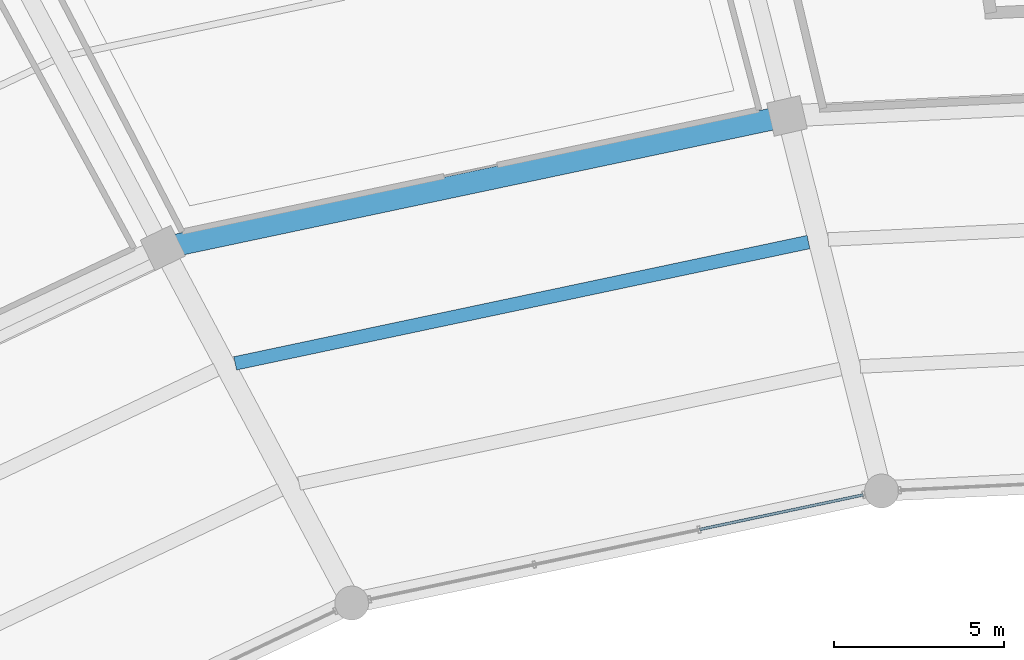
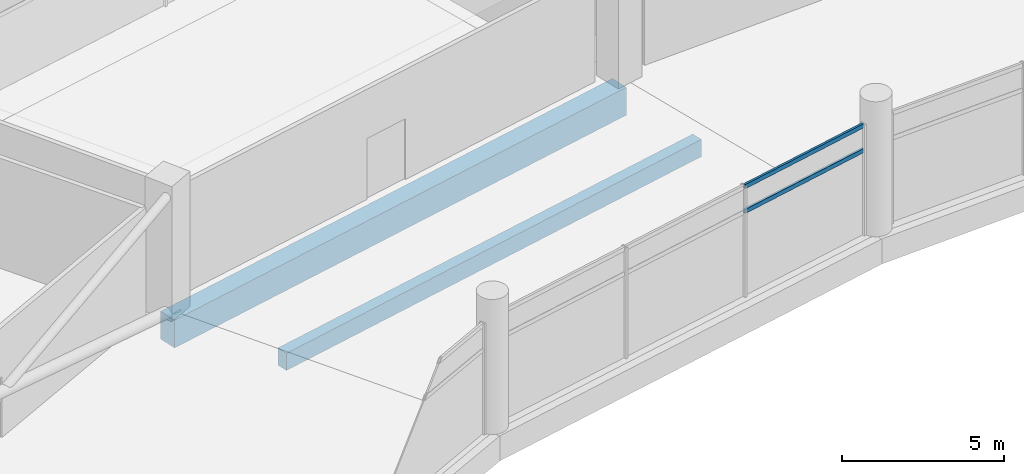
# One storey, part 107 of 184: 2 beams, 2 members, 1 element without a shape of its own.
"""IFC4 building model written with IfcOpenShell, lengths in metres."""

from ifc_helpers import new_model, si_unit, direction, frame, origin, origin_2d, place, context, subcontext, project, spatial, rectangle, hollow_rectangle, extrude, material, layer, layer_set, material_profile, profile_set, type_object, element, aggregate, save


model = new_model("IFC4")

# Units and contexts
model_context = context("Model", 3, precision=1e-05, world=origin(), true_north=direction((0.0, 1.0)))
body_context = subcontext(model_context, "Body", "Model", "MODEL_VIEW")
ifc_project = project(units=[si_unit("LENGTHUNIT", "METRE"), si_unit("AREAUNIT", "SQUARE_METRE"), si_unit("VOLUMEUNIT", "CUBIC_METRE"), si_unit("PLANEANGLEUNIT", "RADIAN"), si_unit("MASSUNIT", "GRAM", prefix="KILO")], contexts=[model_context])

# Site, building, storey
site_placement = place(None, origin())
site = spatial("IfcSite", under=ifc_project, at=site_placement, CompositionType="ELEMENT")
building_placement = place(site_placement, origin())
building = spatial("IfcBuilding", under=site, at=building_placement, Name="Kazemori Nagisa Stadium", CompositionType="ELEMENT")
storey_placement = place(building_placement, frame((0.0, 0.0, 10.5400390625)))
storey = spatial("IfcBuildingStorey", under=building, at=storey_placement, Name="L02", CompositionType="ELEMENT", Elevation=10.5400390625)

# Beams
ifc_material_1 = material(Name="Concrete C40/50 (Fc42)", Category="concrete")
ifc_material_profile_1 = material_profile(ifc_material_1, rectangle(XDim=0.64990234375, YDim=1.050048828125, at=origin_2d()), Name="RC-BM-650x1050")
ifc_profile_set_1 = profile_set([ifc_material_profile_1], Name="Concrete C40/50 (Fc42)")
beam_type_1 = type_object("IfcBeamType", Name="Beam_BG-RC650X1050", PredefinedType="BEAM", material=ifc_profile_set_1)
beam_1_placement = place(storey_placement, frame((104.572265625, 175.088623046875, -0.78515625), z_axis=(-0.978345149833, -0.206980114499, 0.0), x_axis=(0.206980114499, -0.978345149833, 0.0)))
element("IfcBeam", 1, at=beam_1_placement, inside=storey, type_object=beam_type_1, Name="Ring girder BG-RC650X1050 L02 R2-09", PredefinedType="BEAM", context=body_context, shape_type="SweptSolid", body=[
    extrude(rectangle(XDim=0.64990234375, YDim=1.050048828125, at=origin_2d()), origin(), (0.0, 0.0, 1.0), 18.791259765625),
])
ifc_material_profile_2 = material_profile(ifc_material_1, rectangle(XDim=0.39990234375, YDim=0.64990234375, at=origin_2d()), Name="RC-BM-400x650")
ifc_profile_set_2 = profile_set([ifc_material_profile_2], Name="Concrete C40/50 (Fc42)")
beam_type_2 = type_object("IfcBeamType", Name="Beam_BJ-RC400X650", PredefinedType="JOIST", material=ifc_profile_set_2)
beam_2_placement = place(storey_placement, frame((105.205078125, 171.373291015625, -0.5849609375), z_axis=(-0.97834325925, -0.206989050628, 0.0), x_axis=(0.206989050628, -0.97834325925, 0.0)))
element("IfcBeam", 2, at=beam_2_placement, inside=storey, type_object=beam_type_2, Name="Concourse joist BJ-RC400X650 L02 B09-2", PredefinedType="JOIST", context=body_context, shape_type="SweptSolid", body=[
    extrude(rectangle(XDim=0.39990234375, YDim=0.64990234375, at=origin_2d()), origin(), (0.0, 0.0, 1.0), 17.26171875),
])

# Curtain wall, members
ifc_material_2 = material(Name="Anodised aluminium 6063-T5", Category="aluminium")
ifc_layer = layer(ifc_material_2, 0.2099609375, Name="Anodised aluminium 6063-T5", Category="aluminium")
ifc_layer_set = layer_set([ifc_layer], Name="Anodised aluminium 6063-T5")
curtain_wall_type = type_object("IfcCurtainWallType", Name="CW_L02B_75", PredefinedType="USERDEFINED", material=ifc_layer_set)
curtain_wall_placement = place(storey_placement, origin())
curtain_wall = element("IfcCurtainWall", 3, at=curtain_wall_placement, inside=storey, type_object=curtain_wall_type, Name="Unitised curtain wall CW-L02B-75 L02", ObjectType="UNITISED CURTAIN WALL", PredefinedType="USERDEFINED")
ifc_material_3 = material(Name="Aluminium 6063-T5 anodised", Category="aluminium")
ifc_material_profile_3 = material_profile(ifc_material_3, hollow_rectangle(XDim=0.080078125, YDim=0.159912109375, WallThickness=0.00390625, at=origin_2d()), Name="ALU-TRAN-80x160x4")
ifc_profile_set_3 = profile_set([ifc_material_profile_3], Name="Aluminium 6063-T5 anodised")
member_type = type_object("IfcMemberType", Name="Transom_T02", PredefinedType="USERDEFINED", material=ifc_profile_set_3)
member_1_placement = place(storey_placement, frame((106.814697265625, 163.925537109375, 3.184326171875), z_axis=(-0.978346611518, -0.206973205348, 0.0), x_axis=(0.206973205348, -0.978346611518, 0.0)))
member_1 = element("IfcMember", 4, at=member_1_placement, type_object=member_type, Name="Curtain wall transom CW-L02B-75-T1-mid", ObjectType="TRANSOM", PredefinedType="USERDEFINED", context=body_context, shape_type="SweptSolid", body=[
    extrude(hollow_rectangle(XDim=0.080078125, YDim=0.159912109375, WallThickness=0.00390625, at=origin_2d()), origin(), (0.0, 0.0, 1.0), 4.919921875),
])
member_2_placement = place(storey_placement, frame((106.814697265625, 163.925537109375, 4.119873046875), z_axis=(-0.978346611518, -0.206973205348, 0.0), x_axis=(0.206973205348, -0.978346611518, 0.0)))
member_2 = element("IfcMember", 5, at=member_2_placement, type_object=member_type, Name="Curtain wall transom CW-L02B-75-T1-head", ObjectType="TRANSOM", PredefinedType="USERDEFINED", context=body_context, shape_type="SweptSolid", body=[
    extrude(hollow_rectangle(XDim=0.080078125, YDim=0.159912109375, WallThickness=0.00390625, at=origin_2d()), origin(), (0.0, 0.0, 1.0), 4.919921875),
])
aggregate(curtain_wall, [member_1, member_2])

save(model, "model.ifc")
